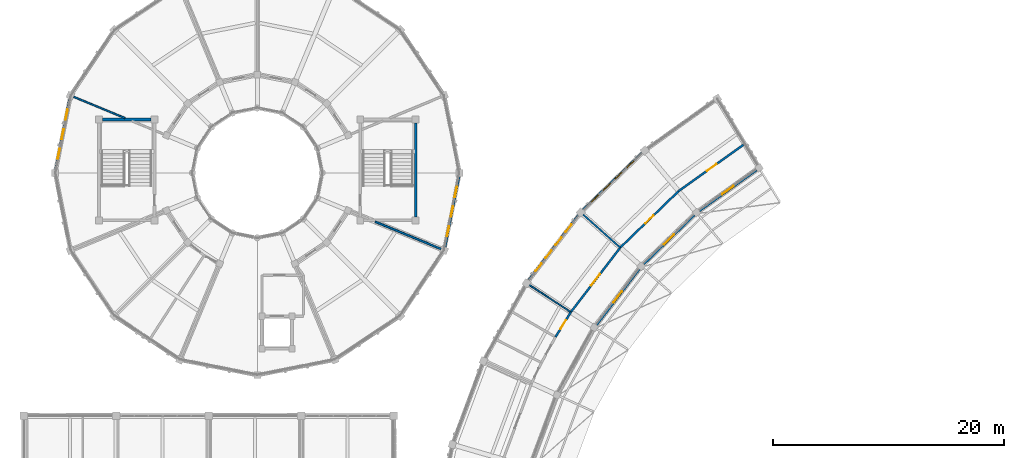
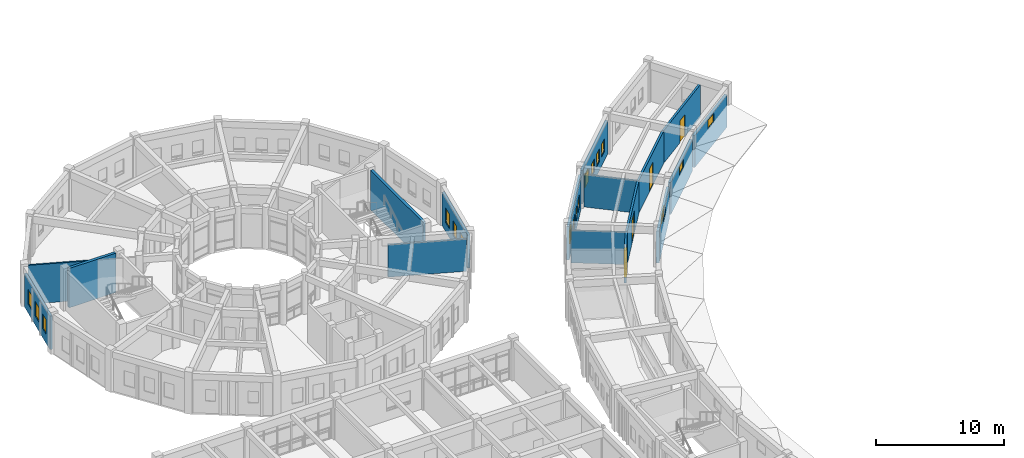
# One storey, part 86 of 112: 17 walls, 17 windows, 4 doors, 21 openings.
"""IFC4 building model written with IfcOpenShell, lengths in metres."""

from ifc_helpers import new_model, si_unit, direction, frame, frame_2d, origin, place, context, subcontext, project, spatial, rectangle, extrude, material, layer, layer_set, type_object, element, fill, save


model = new_model("IFC4")

# Units and contexts
model_context = context("Model", 3, precision=1e-05, world=origin(), true_north=direction((0.0, 1.0)))
body_context = subcontext(model_context, "Body", "Model", "MODEL_VIEW")
ifc_project = project(units=[si_unit("LENGTHUNIT", "METRE"), si_unit("AREAUNIT", "SQUARE_METRE"), si_unit("VOLUMEUNIT", "CUBIC_METRE"), si_unit("PLANEANGLEUNIT", "RADIAN"), si_unit("MASSUNIT", "GRAM", prefix="KILO")], contexts=[model_context])

# Site, building, storey
site_placement = place(None, origin())
site = spatial("IfcSite", under=ifc_project, at=site_placement, CompositionType="ELEMENT")
building_placement = place(site_placement, origin())
building = spatial("IfcBuilding", under=site, at=building_placement, Name="Celadon Cloister-Ring School", CompositionType="ELEMENT")
storey_placement = place(building_placement, frame((0.0, 0.0, 8.5)))
storey = spatial("IfcBuildingStorey", under=building, at=storey_placement, Name="L02", CompositionType="ELEMENT", Elevation=8.5)

# Wall, opening, window
ifc_material_1 = material(Name="Rendered concrete blockwork", Category="masonry")
ifc_layer_1 = layer(ifc_material_1, 0.239990234375)
ifc_layer_set_1 = layer_set([ifc_layer_1], Name="Rendered concrete blockwork")
wall_type_1 = type_object("IfcWallType", Name="WT-EX3", PredefinedType="SOLIDWALL", material=ifc_layer_set_1)
wall_1_placement = place(storey_placement, frame((63.375, 97.27490234375, 0.0), z_axis=(0.0, 0.0, 1.0), x_axis=(-0.813560163871, -0.581480747542, 0.0)))
wall_1 = element("IfcWall", 1, at=wall_1_placement, inside=storey, type_object=wall_type_1, Name="Exterior Wall 0103", PredefinedType="SOLIDWALL", context=body_context, shape_type="SweptSolid", body=[
    extrude(rectangle(XDim=6.093017578125, YDim=0.239990234375, at=frame_2d((3.04638671875, 0.0))), origin(), (0.0, 0.0, 1.0), 3.050048828125),
])
opening_1_placement = place(wall_1_placement, frame((2.447021484375, 0.0, 2.050048828125)))
opening_1 = element("IfcOpeningElement", 2, at=opening_1_placement, cuts=wall_1, Name="Opening WN-49", PredefinedType="OPENING", context=body_context, shape_type="SweptSolid", body=[
    extrude(rectangle(XDim=1.199951171875, YDim=0.85009765625, at=frame_2d((0.60009765625, 0.425048828125))), frame((0.0, 0.1298828125, 0.0), z_axis=(0.0, -1.0, 0.0), x_axis=(1.0, 0.0, 0.0)), (0.0, 0.0, 1.0), 0.260009765625),
])
ifc_material_2 = material(Name="Tempered laminated insulating glass", Category="glass")
window_type_1 = type_object("IfcWindowType", Name="WN-49", PartitioningType="SINGLE_PANEL", PredefinedType="WINDOW", material=ifc_material_2)
window_1_placement = place(opening_1_placement, origin())
window_1 = element("IfcWindow", 3, at=window_1_placement, inside=storey, type_object=window_type_1, Name="Window 0278", OverallHeight=0.85009765625, OverallWidth=1.199951171875, PartitioningType="SINGLE_PANEL", PredefinedType="WINDOW", context=body_context, shape_type="SweptSolid", body=[
    extrude(rectangle(XDim=1.199951171875, YDim=0.85009765625, at=frame_2d((0.60009765625, 0.425048828125))), frame((0.0, 0.030029296875, 0.0), z_axis=(0.0, -1.0, 0.0), x_axis=(1.0, 0.0, 0.0)), (0.0, 0.0, 1.0), 0.06005859375),
])
fill(opening_1, window_1)

wall_2_placement = place(storey_placement, frame((57.97900390625, 93.365966796875, 0.0), z_axis=(0.0, 0.0, 1.0), x_axis=(-0.71841288608, -0.69561693849, 0.0)))
wall_2 = element("IfcWall", 4, at=wall_2_placement, inside=storey, type_object=wall_type_1, Name="Exterior Wall 0105", PredefinedType="SOLIDWALL", context=body_context, shape_type="SweptSolid", body=[
    extrude(rectangle(XDim=6.093994140625, YDim=0.239990234375, at=frame_2d((3.046875, 0.0))), origin(), (0.0, 0.0, 1.0), 3.050048828125),
])
opening_2_placement = place(wall_2_placement, frame((2.447021484375, 0.0, 2.050048828125)))
opening_2 = element("IfcOpeningElement", 5, at=opening_2_placement, cuts=wall_2, Name="Opening WN-49", PredefinedType="OPENING", context=body_context, shape_type="SweptSolid", body=[
    extrude(rectangle(XDim=1.199951171875, YDim=0.85009765625, at=frame_2d((0.60009765625, 0.425048828125))), frame((0.0, 0.1298828125, 0.0), z_axis=(0.0, -1.0, 0.0), x_axis=(1.0, 0.0, 0.0)), (0.0, 0.0, 1.0), 0.260009765625),
])
window_2_placement = place(opening_2_placement, origin())
window_2 = element("IfcWindow", 6, at=window_2_placement, inside=storey, type_object=window_type_1, Name="Window 0283", OverallHeight=0.85009765625, OverallWidth=1.199951171875, PartitioningType="SINGLE_PANEL", PredefinedType="WINDOW", context=body_context, shape_type="SweptSolid", body=[
    extrude(rectangle(XDim=1.199951171875, YDim=0.85009765625, at=frame_2d((0.60009765625, 0.425048828125))), frame((0.0, 0.030029296875, 0.0), z_axis=(0.0, -1.0, 0.0), x_axis=(1.0, 0.0, 0.0)), (0.0, 0.0, 1.0), 0.06005859375),
])
fill(opening_2, window_2)

wall_3_placement = place(storey_placement, frame((53.220947265625, 88.699951171875, 0.0), z_axis=(0.0, 0.0, 1.0), x_axis=(-0.608073116508, -0.793881026969, 0.0)))
wall_3 = element("IfcWall", 7, at=wall_3_placement, inside=storey, type_object=wall_type_1, Name="Exterior Wall 0107", PredefinedType="SOLIDWALL", context=body_context, shape_type="SweptSolid", body=[
    extrude(rectangle(XDim=6.0927734375, YDim=0.239990234375, at=frame_2d((3.04638671875, 0.0))), origin(), (0.0, 0.0, 1.0), 3.050048828125),
])
opening_3_placement = place(wall_3_placement, frame((2.446044921875, 0.0, 2.050048828125)))
opening_3 = element("IfcOpeningElement", 8, at=opening_3_placement, cuts=wall_3, Name="Opening WN-49", PredefinedType="OPENING", context=body_context, shape_type="SweptSolid", body=[
    extrude(rectangle(XDim=1.199951171875, YDim=0.85009765625, at=frame_2d((0.60009765625, 0.425048828125))), frame((0.0, 0.1298828125, 0.0), z_axis=(0.0, -1.0, 0.0), x_axis=(1.0, 0.0, 0.0)), (0.0, 0.0, 1.0), 0.260009765625),
])
window_3_placement = place(opening_3_placement, origin())
window_3 = element("IfcWindow", 9, at=window_3_placement, inside=storey, type_object=window_type_1, Name="Window 0288", OverallHeight=0.85009765625, OverallWidth=1.199951171875, PartitioningType="SINGLE_PANEL", PredefinedType="WINDOW", context=body_context, shape_type="SweptSolid", body=[
    extrude(rectangle(XDim=1.199951171875, YDim=0.85009765625, at=frame_2d((0.60009765625, 0.425048828125))), frame((0.0, 0.030029296875, 0.0), z_axis=(0.0, -1.0, 0.0), x_axis=(1.0, 0.0, 0.0)), (0.0, 0.0, 1.0), 0.06005859375),
])
fill(opening_3, window_3)

# Wall, openings, windows
ifc_material_3 = material(Name="Perforated terracotta clay brick masonry", Category="masonry")
ifc_layer_2 = layer(ifc_material_3, 0.219970703125)
ifc_layer_set_2 = layer_set([ifc_layer_2], Name="Perforated terracotta clay brick masonry")
wall_type_2 = type_object("IfcWallType", Name="WT-EX4", PredefinedType="SOLIDWALL", material=ifc_layer_set_2)
wall_4_placement = place(storey_placement, frame((48.39111328125, 93.800048828125, 0.0), z_axis=(0.0, 0.0, 1.0), x_axis=(0.71857824473, 0.695446120272, 0.0)))
wall_4 = element("IfcWall", 10, at=wall_4_placement, inside=storey, type_object=wall_type_2, Name="Exterior Wall 0104", PredefinedType="SOLIDWALL", context=body_context, shape_type="SweptSolid", body=[
    extrude(rectangle(XDim=7.081787109375, YDim=0.219970703125, at=frame_2d((3.541015625, 0.0))), origin(), (0.0, 0.0, 1.0), 3.19189453125),
])
opening_4_placement = place(wall_4_placement, frame((0.990966796875, 0.0, 0.85009765625)))
opening_4 = element("IfcOpeningElement", 11, at=opening_4_placement, cuts=wall_4, Name="Opening WN-11", PredefinedType="OPENING", context=body_context, shape_type="SweptSolid", body=[
    extrude(rectangle(XDim=0.85009765625, YDim=1.25, at=frame_2d((0.425048828125, 0.625))), frame((0.0, 0.1201171875, 0.0), z_axis=(0.0, -1.0, 0.0), x_axis=(1.0, 0.0, 0.0)), (0.0, 0.0, 1.0), 0.239990234375),
])
opening_5_placement = place(wall_4_placement, frame((2.407958984375, 0.0, 0.85009765625)))
opening_5 = element("IfcOpeningElement", 12, at=opening_5_placement, cuts=wall_4, Name="Opening WN-11", PredefinedType="OPENING", context=body_context, shape_type="SweptSolid", body=[
    extrude(rectangle(XDim=0.85009765625, YDim=1.25, at=frame_2d((0.425048828125, 0.625))), frame((0.0, 0.1201171875, 0.0), z_axis=(0.0, -1.0, 0.0), x_axis=(1.0, 0.0, 0.0)), (0.0, 0.0, 1.0), 0.239990234375),
])
opening_6_placement = place(wall_4_placement, frame((3.823974609375, 0.0, 0.85009765625)))
opening_6 = element("IfcOpeningElement", 13, at=opening_6_placement, cuts=wall_4, Name="Opening WN-11", PredefinedType="OPENING", context=body_context, shape_type="SweptSolid", body=[
    extrude(rectangle(XDim=0.85009765625, YDim=1.25, at=frame_2d((0.425048828125, 0.625))), frame((0.0, 0.1201171875, 0.0), z_axis=(0.0, -1.0, 0.0), x_axis=(1.0, 0.0, 0.0)), (0.0, 0.0, 1.0), 0.239990234375),
])
opening_7_placement = place(wall_4_placement, frame((5.240966796875, 0.0, 0.85009765625)))
opening_7 = element("IfcOpeningElement", 14, at=opening_7_placement, cuts=wall_4, Name="Opening WN-11", PredefinedType="OPENING", context=body_context, shape_type="SweptSolid", body=[
    extrude(rectangle(XDim=0.85009765625, YDim=1.25, at=frame_2d((0.425048828125, 0.625))), frame((0.0, 0.1201171875, 0.0), z_axis=(0.0, -1.0, 0.0), x_axis=(1.0, 0.0, 0.0)), (0.0, 0.0, 1.0), 0.239990234375),
])
ifc_material_4 = material(Name="Tempered laminated insulating glass", Category="glass")
window_type_2 = type_object("IfcWindowType", Name="WN-11", PartitioningType="SINGLE_PANEL", PredefinedType="WINDOW", material=ifc_material_4)
window_4_placement = place(opening_4_placement, origin())
window_4 = element("IfcWindow", 15, at=window_4_placement, inside=storey, type_object=window_type_2, Name="Window 0279", OverallHeight=1.25, OverallWidth=0.85009765625, PartitioningType="SINGLE_PANEL", PredefinedType="WINDOW", context=body_context, shape_type="SweptSolid", body=[
    extrude(rectangle(XDim=0.85009765625, YDim=1.25, at=frame_2d((0.425048828125, 0.625))), frame((0.0, 0.030029296875, 0.0), z_axis=(0.0, -1.0, 0.0), x_axis=(1.0, 0.0, 0.0)), (0.0, 0.0, 1.0), 0.06005859375),
])
fill(opening_4, window_4)
window_5_placement = place(opening_5_placement, origin())
window_5 = element("IfcWindow", 16, at=window_5_placement, inside=storey, type_object=window_type_2, Name="Window 0280", OverallHeight=1.25, OverallWidth=0.85009765625, PartitioningType="SINGLE_PANEL", PredefinedType="WINDOW", context=body_context, shape_type="SweptSolid", body=[
    extrude(rectangle(XDim=0.85009765625, YDim=1.25, at=frame_2d((0.425048828125, 0.625))), frame((0.0, 0.030029296875, 0.0), z_axis=(0.0, -1.0, 0.0), x_axis=(1.0, 0.0, 0.0)), (0.0, 0.0, 1.0), 0.06005859375),
])
fill(opening_5, window_5)
window_6_placement = place(opening_6_placement, origin())
window_6 = element("IfcWindow", 17, at=window_6_placement, inside=storey, type_object=window_type_2, Name="Window 0281", OverallHeight=1.25, OverallWidth=0.85009765625, PartitioningType="SINGLE_PANEL", PredefinedType="WINDOW", context=body_context, shape_type="SweptSolid", body=[
    extrude(rectangle(XDim=0.85009765625, YDim=1.25, at=frame_2d((0.425048828125, 0.625))), frame((0.0, 0.030029296875, 0.0), z_axis=(0.0, -1.0, 0.0), x_axis=(1.0, 0.0, 0.0)), (0.0, 0.0, 1.0), 0.06005859375),
])
fill(opening_6, window_6)
window_7_placement = place(opening_7_placement, origin())
window_7 = element("IfcWindow", 18, at=window_7_placement, inside=storey, type_object=window_type_2, Name="Window 0282", OverallHeight=1.25, OverallWidth=0.85009765625, PartitioningType="SINGLE_PANEL", PredefinedType="WINDOW", context=body_context, shape_type="SweptSolid", body=[
    extrude(rectangle(XDim=0.85009765625, YDim=1.25, at=frame_2d((0.425048828125, 0.625))), frame((0.0, 0.030029296875, 0.0), z_axis=(0.0, -1.0, 0.0), x_axis=(1.0, 0.0, 0.0)), (0.0, 0.0, 1.0), 0.06005859375),
])
fill(opening_7, window_7)

wall_5_placement = place(storey_placement, frame((43.673095703125, 87.714111328125, 0.0), z_axis=(0.0, 0.0, 1.0), x_axis=(0.607995054755, 0.793940812273, 0.0)))
wall_5 = element("IfcWall", 19, at=wall_5_placement, inside=storey, type_object=wall_type_2, Name="Exterior Wall 0106", PredefinedType="SOLIDWALL", context=body_context, shape_type="SweptSolid", body=[
    extrude(rectangle(XDim=7.08203125, YDim=0.219970703125, at=frame_2d((3.541015625, 0.0))), origin(), (0.0, 0.0, 1.0), 3.19189453125),
])
opening_8_placement = place(wall_5_placement, frame((0.990966796875, 0.0, 0.85009765625)))
opening_8 = element("IfcOpeningElement", 20, at=opening_8_placement, cuts=wall_5, Name="Opening WN-11", PredefinedType="OPENING", context=body_context, shape_type="SweptSolid", body=[
    extrude(rectangle(XDim=0.85009765625, YDim=1.25, at=frame_2d((0.425048828125, 0.625))), frame((0.0, 0.1201171875, 0.0), z_axis=(0.0, -1.0, 0.0), x_axis=(1.0, 0.0, 0.0)), (0.0, 0.0, 1.0), 0.239990234375),
])
opening_9_placement = place(wall_5_placement, frame((2.407958984375, 0.0, 0.85009765625)))
opening_9 = element("IfcOpeningElement", 21, at=opening_9_placement, cuts=wall_5, Name="Opening WN-11", PredefinedType="OPENING", context=body_context, shape_type="SweptSolid", body=[
    extrude(rectangle(XDim=0.85009765625, YDim=1.25, at=frame_2d((0.425048828125, 0.625))), frame((0.0, 0.1201171875, 0.0), z_axis=(0.0, -1.0, 0.0), x_axis=(1.0, 0.0, 0.0)), (0.0, 0.0, 1.0), 0.239990234375),
])
opening_10_placement = place(wall_5_placement, frame((3.823974609375, 0.0, 0.85009765625)))
opening_10 = element("IfcOpeningElement", 22, at=opening_10_placement, cuts=wall_5, Name="Opening WN-11", PredefinedType="OPENING", context=body_context, shape_type="SweptSolid", body=[
    extrude(rectangle(XDim=0.85009765625, YDim=1.25, at=frame_2d((0.425048828125, 0.625))), frame((0.0, 0.1201171875, 0.0), z_axis=(0.0, -1.0, 0.0), x_axis=(1.0, 0.0, 0.0)), (0.0, 0.0, 1.0), 0.239990234375),
])
opening_11_placement = place(wall_5_placement, frame((5.240966796875, 0.0, 0.85009765625)))
opening_11 = element("IfcOpeningElement", 23, at=opening_11_placement, cuts=wall_5, Name="Opening WN-11", PredefinedType="OPENING", context=body_context, shape_type="SweptSolid", body=[
    extrude(rectangle(XDim=0.85009765625, YDim=1.25, at=frame_2d((0.425048828125, 0.625))), frame((0.0, 0.1201171875, 0.0), z_axis=(0.0, -1.0, 0.0), x_axis=(1.0, 0.0, 0.0)), (0.0, 0.0, 1.0), 0.239990234375),
])
window_8_placement = place(opening_8_placement, origin())
window_8 = element("IfcWindow", 24, at=window_8_placement, inside=storey, type_object=window_type_2, Name="Window 0284", OverallHeight=1.25, OverallWidth=0.85009765625, PartitioningType="SINGLE_PANEL", PredefinedType="WINDOW", context=body_context, shape_type="SweptSolid", body=[
    extrude(rectangle(XDim=0.85009765625, YDim=1.25, at=frame_2d((0.425048828125, 0.625))), frame((0.0, 0.030029296875, 0.0), z_axis=(0.0, -1.0, 0.0), x_axis=(1.0, 0.0, 0.0)), (0.0, 0.0, 1.0), 0.06005859375),
])
fill(opening_8, window_8)
window_9_placement = place(opening_9_placement, origin())
window_9 = element("IfcWindow", 25, at=window_9_placement, inside=storey, type_object=window_type_2, Name="Window 0285", OverallHeight=1.25, OverallWidth=0.85009765625, PartitioningType="SINGLE_PANEL", PredefinedType="WINDOW", context=body_context, shape_type="SweptSolid", body=[
    extrude(rectangle(XDim=0.85009765625, YDim=1.25, at=frame_2d((0.425048828125, 0.625))), frame((0.0, 0.030029296875, 0.0), z_axis=(0.0, -1.0, 0.0), x_axis=(1.0, 0.0, 0.0)), (0.0, 0.0, 1.0), 0.06005859375),
])
fill(opening_9, window_9)
window_10_placement = place(opening_10_placement, origin())
window_10 = element("IfcWindow", 26, at=window_10_placement, inside=storey, type_object=window_type_2, Name="Window 0286", OverallHeight=1.25, OverallWidth=0.85009765625, PartitioningType="SINGLE_PANEL", PredefinedType="WINDOW", context=body_context, shape_type="SweptSolid", body=[
    extrude(rectangle(XDim=0.85009765625, YDim=1.25, at=frame_2d((0.425048828125, 0.625))), frame((0.0, 0.030029296875, 0.0), z_axis=(0.0, -1.0, 0.0), x_axis=(1.0, 0.0, 0.0)), (0.0, 0.0, 1.0), 0.06005859375),
])
fill(opening_10, window_10)
window_11_placement = place(opening_11_placement, origin())
window_11 = element("IfcWindow", 27, at=window_11_placement, inside=storey, type_object=window_type_2, Name="Window 0287", OverallHeight=1.25, OverallWidth=0.85009765625, PartitioningType="SINGLE_PANEL", PredefinedType="WINDOW", context=body_context, shape_type="SweptSolid", body=[
    extrude(rectangle(XDim=0.85009765625, YDim=1.25, at=frame_2d((0.425048828125, 0.625))), frame((0.0, 0.030029296875, 0.0), z_axis=(0.0, -1.0, 0.0), x_axis=(1.0, 0.0, 0.0)), (0.0, 0.0, 1.0), 0.06005859375),
])
fill(opening_11, window_11)

wall_6_placement = place(storey_placement, frame((2.763916015625, 97.322998046875, 0.0), z_axis=(0.0, 0.0, 1.0), x_axis=(0.195164813773, 0.980770460131, 0.0)))
wall_6 = element("IfcWall", 28, at=wall_6_placement, inside=storey, type_object=wall_type_2, Name="Exterior Wall 0260", PredefinedType="SOLIDWALL", context=body_context, shape_type="SweptSolid", body=[
    extrude(rectangle(XDim=6.169677734375, YDim=0.219970703125, at=frame_2d((3.0849609375, 0.0))), origin(), (0.0, 0.0, 1.0), 3.172119140625),
])
opening_12_placement = place(wall_6_placement, frame((0.906982421875, 0.0, 0.85009765625)))
opening_12 = element("IfcOpeningElement", 29, at=opening_12_placement, cuts=wall_6, Name="Opening WN-21", PredefinedType="OPENING", context=body_context, shape_type="SweptSolid", body=[
    extrude(rectangle(XDim=0.89990234375, YDim=1.39990234375, at=frame_2d((0.449951171875, 0.699951171875))), frame((0.0, 0.1201171875, 0.0), z_axis=(0.0, -1.0, 0.0), x_axis=(1.0, 0.0, 0.0)), (0.0, 0.0, 1.0), 0.239990234375),
])
opening_13_placement = place(wall_6_placement, frame((2.635009765625, 0.0, 0.85009765625)))
opening_13 = element("IfcOpeningElement", 30, at=opening_13_placement, cuts=wall_6, Name="Opening WN-21", PredefinedType="OPENING", context=body_context, shape_type="SweptSolid", body=[
    extrude(rectangle(XDim=0.89990234375, YDim=1.39990234375, at=frame_2d((0.449951171875, 0.699951171875))), frame((0.0, 0.1201171875, 0.0), z_axis=(0.0, -1.0, 0.0), x_axis=(1.0, 0.0, 0.0)), (0.0, 0.0, 1.0), 0.239990234375),
])
opening_14_placement = place(wall_6_placement, frame((4.362060546875, 0.0, 0.85009765625)))
opening_14 = element("IfcOpeningElement", 31, at=opening_14_placement, cuts=wall_6, Name="Opening WN-21", PredefinedType="OPENING", context=body_context, shape_type="SweptSolid", body=[
    extrude(rectangle(XDim=0.89990234375, YDim=1.39990234375, at=frame_2d((0.449951171875, 0.699951171875))), frame((0.0, 0.1201171875, 0.0), z_axis=(0.0, -1.0, 0.0), x_axis=(1.0, 0.0, 0.0)), (0.0, 0.0, 1.0), 0.239990234375),
])
ifc_material_5 = material(Name="Tempered laminated insulating glass", Category="glass")
window_type_3 = type_object("IfcWindowType", Name="WN-21", PartitioningType="SINGLE_PANEL", PredefinedType="WINDOW", material=ifc_material_5)
window_12_placement = place(opening_12_placement, origin())
window_12 = element("IfcWindow", 32, at=window_12_placement, inside=storey, type_object=window_type_3, Name="Window 0688", OverallHeight=1.39990234375, OverallWidth=0.89990234375, PartitioningType="SINGLE_PANEL", PredefinedType="WINDOW", context=body_context, shape_type="SweptSolid", body=[
    extrude(rectangle(XDim=0.89990234375, YDim=1.39990234375, at=frame_2d((0.449951171875, 0.699951171875))), frame((0.0, 0.030029296875, 0.0), z_axis=(0.0, -1.0, 0.0), x_axis=(1.0, 0.0, 0.0)), (0.0, 0.0, 1.0), 0.06005859375),
])
fill(opening_12, window_12)
window_13_placement = place(opening_13_placement, origin())
window_13 = element("IfcWindow", 33, at=window_13_placement, inside=storey, type_object=window_type_3, Name="Window 0689", OverallHeight=1.39990234375, OverallWidth=0.89990234375, PartitioningType="SINGLE_PANEL", PredefinedType="WINDOW", context=body_context, shape_type="SweptSolid", body=[
    extrude(rectangle(XDim=0.89990234375, YDim=1.39990234375, at=frame_2d((0.449951171875, 0.699951171875))), frame((0.0, 0.030029296875, 0.0), z_axis=(0.0, -1.0, 0.0), x_axis=(1.0, 0.0, 0.0)), (0.0, 0.0, 1.0), 0.06005859375),
])
fill(opening_13, window_13)
window_14_placement = place(opening_14_placement, origin())
window_14 = element("IfcWindow", 34, at=window_14_placement, inside=storey, type_object=window_type_3, Name="Window 0690", OverallHeight=1.39990234375, OverallWidth=0.89990234375, PartitioningType="SINGLE_PANEL", PredefinedType="WINDOW", context=body_context, shape_type="SweptSolid", body=[
    extrude(rectangle(XDim=0.89990234375, YDim=1.39990234375, at=frame_2d((0.449951171875, 0.699951171875))), frame((0.0, 0.030029296875, 0.0), z_axis=(0.0, -1.0, 0.0), x_axis=(1.0, 0.0, 0.0)), (0.0, 0.0, 1.0), 0.06005859375),
])
fill(opening_14, window_14)

wall_7_placement = place(storey_placement, frame((37.635986328125, 96.677001953125, 0.0), z_axis=(0.0, 0.0, 1.0), x_axis=(-0.195164813773, -0.980770460131, 0.0)))
wall_7 = element("IfcWall", 35, at=wall_7_placement, inside=storey, type_object=wall_type_2, Name="Exterior Wall 0270", PredefinedType="SOLIDWALL", context=body_context, shape_type="SweptSolid", body=[
    extrude(rectangle(XDim=6.169677734375, YDim=0.219970703125, at=frame_2d((3.0849609375, 0.0))), origin(), (0.0, 0.0, 1.0), 3.172119140625),
])
opening_15_placement = place(wall_7_placement, frame((0.906982421875, 0.0, 0.85009765625)))
opening_15 = element("IfcOpeningElement", 36, at=opening_15_placement, cuts=wall_7, Name="Opening WN-21", PredefinedType="OPENING", context=body_context, shape_type="SweptSolid", body=[
    extrude(rectangle(XDim=0.89990234375, YDim=1.39990234375, at=frame_2d((0.449951171875, 0.699951171875))), frame((0.0, 0.1201171875, 0.0), z_axis=(0.0, -1.0, 0.0), x_axis=(1.0, 0.0, 0.0)), (0.0, 0.0, 1.0), 0.239990234375),
])
opening_16_placement = place(wall_7_placement, frame((2.635009765625, 0.0, 0.85009765625)))
opening_16 = element("IfcOpeningElement", 37, at=opening_16_placement, cuts=wall_7, Name="Opening WN-21", PredefinedType="OPENING", context=body_context, shape_type="SweptSolid", body=[
    extrude(rectangle(XDim=0.89990234375, YDim=1.39990234375, at=frame_2d((0.449951171875, 0.699951171875))), frame((0.0, 0.1201171875, 0.0), z_axis=(0.0, -1.0, 0.0), x_axis=(1.0, 0.0, 0.0)), (0.0, 0.0, 1.0), 0.239990234375),
])
opening_17_placement = place(wall_7_placement, frame((4.362060546875, 0.0, 0.85009765625)))
opening_17 = element("IfcOpeningElement", 38, at=opening_17_placement, cuts=wall_7, Name="Opening WN-21", PredefinedType="OPENING", context=body_context, shape_type="SweptSolid", body=[
    extrude(rectangle(XDim=0.89990234375, YDim=1.39990234375, at=frame_2d((0.449951171875, 0.699951171875))), frame((0.0, 0.1201171875, 0.0), z_axis=(0.0, -1.0, 0.0), x_axis=(1.0, 0.0, 0.0)), (0.0, 0.0, 1.0), 0.239990234375),
])
window_15_placement = place(opening_15_placement, origin())
window_15 = element("IfcWindow", 39, at=window_15_placement, inside=storey, type_object=window_type_3, Name="Window 0711", OverallHeight=1.39990234375, OverallWidth=0.89990234375, PartitioningType="SINGLE_PANEL", PredefinedType="WINDOW", context=body_context, shape_type="SweptSolid", body=[
    extrude(rectangle(XDim=0.89990234375, YDim=1.39990234375, at=frame_2d((0.449951171875, 0.699951171875))), frame((0.0, 0.030029296875, 0.0), z_axis=(0.0, -1.0, 0.0), x_axis=(1.0, 0.0, 0.0)), (0.0, 0.0, 1.0), 0.06005859375),
])
fill(opening_15, window_15)
window_16_placement = place(opening_16_placement, origin())
window_16 = element("IfcWindow", 40, at=window_16_placement, inside=storey, type_object=window_type_3, Name="Window 0712", OverallHeight=1.39990234375, OverallWidth=0.89990234375, PartitioningType="SINGLE_PANEL", PredefinedType="WINDOW", context=body_context, shape_type="SweptSolid", body=[
    extrude(rectangle(XDim=0.89990234375, YDim=1.39990234375, at=frame_2d((0.449951171875, 0.699951171875))), frame((0.0, 0.030029296875, 0.0), z_axis=(0.0, -1.0, 0.0), x_axis=(1.0, 0.0, 0.0)), (0.0, 0.0, 1.0), 0.06005859375),
])
fill(opening_16, window_16)
window_17_placement = place(opening_17_placement, origin())
window_17 = element("IfcWindow", 41, at=window_17_placement, inside=storey, type_object=window_type_3, Name="Window 0713", OverallHeight=1.39990234375, OverallWidth=0.89990234375, PartitioningType="SINGLE_PANEL", PredefinedType="WINDOW", context=body_context, shape_type="SweptSolid", body=[
    extrude(rectangle(XDim=0.89990234375, YDim=1.39990234375, at=frame_2d((0.449951171875, 0.699951171875))), frame((0.0, 0.030029296875, 0.0), z_axis=(0.0, -1.0, 0.0), x_axis=(1.0, 0.0, 0.0)), (0.0, 0.0, 1.0), 0.06005859375),
])
fill(opening_17, window_17)

# Wall, opening, door
ifc_material_6 = material(Name="Plastered hollow concrete masonry", Category="masonry")
ifc_layer_3 = layer(ifc_material_6, 0.179931640625)
ifc_layer_set_3 = layer_set([ifc_layer_3], Name="Plastered hollow concrete masonry")
wall_type_3 = type_object("IfcWallType", Name="WT-PT2", PredefinedType="PARTITIONING", material=ifc_layer_set_3)
wall_8_placement = place(storey_placement, frame((62.258056640625, 99.444091796875, 0.0), z_axis=(0.0, 0.0, 1.0), x_axis=(-0.813442184371, -0.581645779393, 0.0)))
wall_8 = element("IfcWall", 42, at=wall_8_placement, inside=storey, type_object=wall_type_3, Name="Interior Wall 0560", PredefinedType="PARTITIONING", context=body_context, shape_type="SweptSolid", body=[
    extrude(rectangle(XDim=6.911376953125, YDim=0.179931640625, at=frame_2d((3.45556640625, 0.0))), origin(), (0.0, 0.0, 1.0), 3.092041015625),
])
opening_18_placement = place(wall_8_placement, frame((2.89892578125, 0.0, 0.0)))
opening_18 = element("IfcOpeningElement", 43, at=opening_18_placement, cuts=wall_8, Name="Opening D-0175", PredefinedType="OPENING", context=body_context, shape_type="SweptSolid", body=[
    extrude(rectangle(XDim=1.0, YDim=2.10009765625, at=frame_2d((0.5, 1.050048828125))), frame((0.0, 0.10009765625, 0.0), z_axis=(0.0, -1.0, 0.0), x_axis=(1.0, 0.0, 0.0)), (0.0, 0.0, 1.0), 0.199951171875),
])
ifc_material_7 = material(Name="Solid-core fire-rated hardwood leaf", Category="wood")
door_type_1 = type_object("IfcDoorType", Name="DT-04", OperationType="NOTDEFINED", PredefinedType="DOOR", material=ifc_material_7)
door_1_placement = place(opening_18_placement, origin())
door_1 = element("IfcDoor", 44, at=door_1_placement, inside=storey, type_object=door_type_1, Name="Door D-0175", OperationType="SINGLE_SWING_LEFT", OverallHeight=2.10009765625, OverallWidth=1.0, PredefinedType="DOOR", context=body_context, shape_type="SweptSolid", body=[
    extrude(rectangle(XDim=1.0, YDim=2.10009765625, at=frame_2d((0.5, 1.050048828125))), frame((0.0, 0.02490234375, 0.0), z_axis=(0.0, -1.0, 0.0), x_axis=(1.0, 0.0, 0.0)), (0.0, 0.0, 1.0), 0.050048828125),
])
fill(opening_18, door_1)

wall_9_placement = place(storey_placement, frame((56.635986328125, 95.424072265625, 0.0), z_axis=(0.0, 0.0, 1.0), x_axis=(-0.718550040998, -0.695475260942, 0.0)))
wall_9 = element("IfcWall", 45, at=wall_9_placement, inside=storey, type_object=wall_type_3, Name="Interior Wall 0561", PredefinedType="PARTITIONING", context=body_context, shape_type="SweptSolid", body=[
    extrude(rectangle(XDim=7.025390625, YDim=0.179931640625, at=frame_2d((3.5126953125, 0.0))), origin(), (0.0, 0.0, 1.0), 3.092041015625),
])
opening_19_placement = place(wall_9_placement, frame((3.02294921875, 0.0, 0.0)))
opening_19 = element("IfcOpeningElement", 46, at=opening_19_placement, cuts=wall_9, Name="Opening D-0176", PredefinedType="OPENING", context=body_context, shape_type="SweptSolid", body=[
    extrude(rectangle(XDim=0.97998046875, YDim=2.199951171875, at=frame_2d((0.489990234375, 1.10009765625))), frame((0.0, 0.10009765625, 0.0), z_axis=(0.0, -1.0, 0.0), x_axis=(1.0, 0.0, 0.0)), (0.0, 0.0, 1.0), 0.199951171875),
])
ifc_material_8 = material(Name="Solid-core fire-rated hardwood leaf", Category="wood")
door_type_2 = type_object("IfcDoorType", Name="DT-07", OperationType="NOTDEFINED", PredefinedType="DOOR", material=ifc_material_8)
door_2_placement = place(opening_19_placement, origin())
door_2 = element("IfcDoor", 47, at=door_2_placement, inside=storey, type_object=door_type_2, Name="Door D-0176", OperationType="SINGLE_SWING_RIGHT", OverallHeight=2.199951171875, OverallWidth=0.97998046875, PredefinedType="DOOR", context=body_context, shape_type="SweptSolid", body=[
    extrude(rectangle(XDim=0.97998046875, YDim=2.199951171875, at=frame_2d((0.489990234375, 1.10009765625))), frame((0.0, 0.02490234375, 0.0), z_axis=(0.0, -1.0, 0.0), x_axis=(1.0, 0.0, 0.0)), (0.0, 0.0, 1.0), 0.050048828125),
])
fill(opening_19, door_2)

wall_10_placement = place(storey_placement, frame((51.587890625, 90.5380859375, 0.0), z_axis=(0.0, 0.0, 1.0), x_axis=(-0.607932411016, -0.793988780548, 0.0)))
wall_10 = element("IfcWall", 48, at=wall_10_placement, inside=storey, type_object=wall_type_3, Name="Interior Wall 0562", PredefinedType="PARTITIONING", context=body_context, shape_type="SweptSolid", body=[
    extrude(rectangle(XDim=7.025390625, YDim=0.179931640625, at=frame_2d((3.5126953125, 0.0))), origin(), (0.0, 0.0, 1.0), 3.092041015625),
])
opening_20_placement = place(wall_10_placement, frame((2.887939453125, 0.0, 0.0)))
opening_20 = element("IfcOpeningElement", 49, at=opening_20_placement, cuts=wall_10, Name="Opening D-0177", PredefinedType="OPENING", context=body_context, shape_type="SweptSolid", body=[
    extrude(rectangle(XDim=1.25, YDim=2.199951171875, at=frame_2d((0.625, 1.10009765625))), frame((0.0, 0.10009765625, 0.0), z_axis=(0.0, -1.0, 0.0), x_axis=(1.0, 0.0, 0.0)), (0.0, 0.0, 1.0), 0.199951171875),
])
ifc_material_9 = material(Name="Galvanised fire-rated hollow steel leaf", Category="steel")
door_type_3 = type_object("IfcDoorType", Name="DT-10", OperationType="NOTDEFINED", PredefinedType="DOOR", material=ifc_material_9)
door_3_placement = place(opening_20_placement, origin())
door_3 = element("IfcDoor", 50, at=door_3_placement, inside=storey, type_object=door_type_3, Name="Door D-0177", OperationType="SINGLE_SWING_LEFT", OverallHeight=2.199951171875, OverallWidth=1.25, PredefinedType="DOOR", context=body_context, shape_type="SweptSolid", body=[
    extrude(rectangle(XDim=1.25, YDim=2.199951171875, at=frame_2d((0.625, 1.10009765625))), frame((0.0, 0.02490234375, 0.0), z_axis=(0.0, -1.0, 0.0), x_axis=(1.0, 0.0, 0.0)), (0.0, 0.0, 1.0), 0.050048828125),
])
fill(opening_20, door_3)

wall_11_placement = place(storey_placement, frame((47.31689453125, 84.9599609375, 0.0), z_axis=(0.0, 0.0, 1.0), x_axis=(-0.52503894851, -0.851078200019, 0.0)))
wall_11 = element("IfcWall", 51, at=wall_11_placement, inside=storey, type_object=wall_type_3, Name="Interior Wall 0563", PredefinedType="PARTITIONING", context=body_context, shape_type="SweptSolid", body=[
    extrude(rectangle(XDim=2.531005859375, YDim=0.179931640625, at=frame_2d((1.265625, 0.0))), origin(), (0.0, 0.0, 1.0), 3.092041015625),
])
opening_21_placement = place(wall_11_placement, frame((0.824951171875, 0.0, 0.0)))
opening_21 = element("IfcOpeningElement", 52, at=opening_21_placement, cuts=wall_11, Name="Opening D-0178", PredefinedType="OPENING", context=body_context, shape_type="SweptSolid", body=[
    extrude(rectangle(XDim=0.8798828125, YDim=2.10009765625, at=frame_2d((0.43994140625, 1.050048828125))), frame((0.0, 0.10009765625, 0.0), z_axis=(0.0, -1.0, 0.0), x_axis=(1.0, 0.0, 0.0)), (0.0, 0.0, 1.0), 0.199951171875),
])
ifc_material_10 = material(Name="Solid-core fire-rated hardwood leaf", Category="wood")
door_type_4 = type_object("IfcDoorType", Name="DT-01", OperationType="NOTDEFINED", PredefinedType="DOOR", material=ifc_material_10)
door_4_placement = place(opening_21_placement, origin())
door_4 = element("IfcDoor", 53, at=door_4_placement, inside=storey, type_object=door_type_4, Name="Door D-0178", OperationType="SINGLE_SWING_RIGHT", OverallHeight=2.10009765625, OverallWidth=0.8798828125, PredefinedType="DOOR", context=body_context, shape_type="SweptSolid", body=[
    extrude(rectangle(XDim=0.8798828125, YDim=2.10009765625, at=frame_2d((0.43994140625, 1.050048828125))), frame((0.0, 0.02490234375, 0.0), z_axis=(0.0, -1.0, 0.0), x_axis=(1.0, 0.0, 0.0)), (0.0, 0.0, 1.0), 0.050048828125),
])
fill(opening_21, door_4)

# Walls
ifc_material_11 = material(Name="Plastered hollow concrete masonry", Category="masonry")
ifc_layer_4 = layer(ifc_material_11, 0.159912109375)
ifc_layer_set_4 = layer_set([ifc_layer_4], Name="Plastered hollow concrete masonry")
wall_type_4 = type_object("IfcWallType", Name="WT-PT3", PredefinedType="PARTITIONING", material=ifc_layer_set_4)
wall_12_placement = place(storey_placement, frame((30.39599609375, 92.777099609375, 0.0), z_axis=(0.0, 0.0, 1.0), x_axis=(0.923864955254, -0.382718623082, 0.0)))
element("IfcWall", 54, at=wall_12_placement, inside=storey, type_object=wall_type_4, Name="Interior Wall 0717", PredefinedType="PARTITIONING", context=body_context, shape_type="SweptSolid", body=[
    extrude(rectangle(XDim=6.171875, YDim=0.159912109375, at=frame_2d((3.0859375, 0.0))), origin(), (0.0, 0.0, 1.0), 3.072021484375),
])
ifc_material_12 = material(Name="Acoustic mineral-wool drywall partition")
ifc_layer_5 = layer(ifc_material_12, 0.139892578125)
ifc_layer_set_5 = layer_set([ifc_layer_5], Name="Acoustic mineral-wool drywall partition")
wall_type_5 = type_object("IfcWallType", Name="WT-PT4", PredefinedType="PARTITIONING", material=ifc_layer_set_5)
wall_13_placement = place(storey_placement, frame((51.587890625, 90.5380859375, 0.0), z_axis=(0.0, 0.0, 1.0), x_axis=(-0.746752390412, 0.665102148105, 0.0)))
element("IfcWall", 55, at=wall_13_placement, inside=storey, type_object=wall_type_5, Name="Interior Wall 0537", PredefinedType="PARTITIONING", context=body_context, shape_type="SweptSolid", body=[
    extrude(rectangle(XDim=4.287841796875, YDim=0.139892578125, at=frame_2d((2.14404296875, 0.0))), origin(), (0.0, 0.0, 1.0), 3.092041015625),
])
wall_14_placement = place(storey_placement, frame((8.7490234375, 101.742919921875, 0.0), z_axis=(0.0, 0.0, 1.0), x_axis=(-0.923877739946, 0.382687759972, 0.0)))
element("IfcWall", 56, at=wall_14_placement, inside=storey, type_object=wall_type_5, Name="Interior Wall 0706", PredefinedType="PARTITIONING", context=body_context, shape_type="SweptSolid", body=[
    extrude(rectangle(XDim=4.8134765625, YDim=0.139892578125, at=frame_2d((2.40673828125, 0.0))), origin(), (0.0, 0.0, 1.0), 3.699951171875),
])
ifc_material_13 = material(Name="Acoustic mineral-wool drywall partition")
ifc_layer_6 = layer(ifc_material_13, 0.1201171875)
ifc_layer_set_6 = layer_set([ifc_layer_6], Name="Acoustic mineral-wool drywall partition")
wall_type_6 = type_object("IfcWallType", Name="WT-PT5", PredefinedType="PARTITIONING", material=ifc_layer_set_6)
wall_15_placement = place(storey_placement, frame((47.31689453125, 84.9599609375, 0.0), z_axis=(0.0, 0.0, 1.0), x_axis=(-0.836931498536, 0.54730765275, 0.0)))
element("IfcWall", 57, at=wall_15_placement, inside=storey, type_object=wall_type_6, Name="Interior Wall 0538", PredefinedType="PARTITIONING", context=body_context, shape_type="SweptSolid", body=[
    extrude(rectangle(XDim=4.2880859375, YDim=0.1201171875, at=frame_2d((2.14404296875, 0.0))), origin(), (0.0, 0.0, 1.0), 3.092041015625),
])
ifc_material_14 = material(Name="Concrete C40/50", Category="concrete")
ifc_layer_7 = layer(ifc_material_14, 0.239990234375)
ifc_layer_set_7 = layer_set([ifc_layer_7], Name="Concrete C40/50")
wall_type_7 = type_object("IfcWallType", Name="WT-SH1", PredefinedType="SHEAR", material=ifc_layer_set_7)
wall_16_placement = place(storey_placement, frame((11.008056640625, 101.6201171875, 0.0), z_axis=(0.0, 0.0, 1.0), x_axis=(-1.0, 0.0, 0.0)))
element("IfcWall", 58, at=wall_16_placement, inside=storey, type_object=wall_type_7, Name="Interior Wall 0092", PredefinedType="SHEAR", context=body_context, shape_type="SweptSolid", body=[
    extrude(rectangle(XDim=4.216064453125, YDim=0.239990234375, at=frame_2d((2.10791015625, 0.0))), origin(), (0.0, 0.0, 1.0), 3.739990234375),
])
wall_17_placement = place(storey_placement, frame((33.89990234375, 101.327880859375, 0.0), z_axis=(0.0, 0.0, 1.0), x_axis=(0.0, -1.0, 0.0)))
element("IfcWall", 59, at=wall_17_placement, inside=storey, type_object=wall_type_7, Name="Interior Wall 0106", PredefinedType="SHEAR", context=body_context, shape_type="SweptSolid", body=[
    extrude(rectangle(XDim=8.135986328125, YDim=0.239990234375, at=frame_2d((4.06787109375, 0.0))), origin(), (0.0, 0.0, 1.0), 3.739990234375),
])

save(model, "model.ifc")
